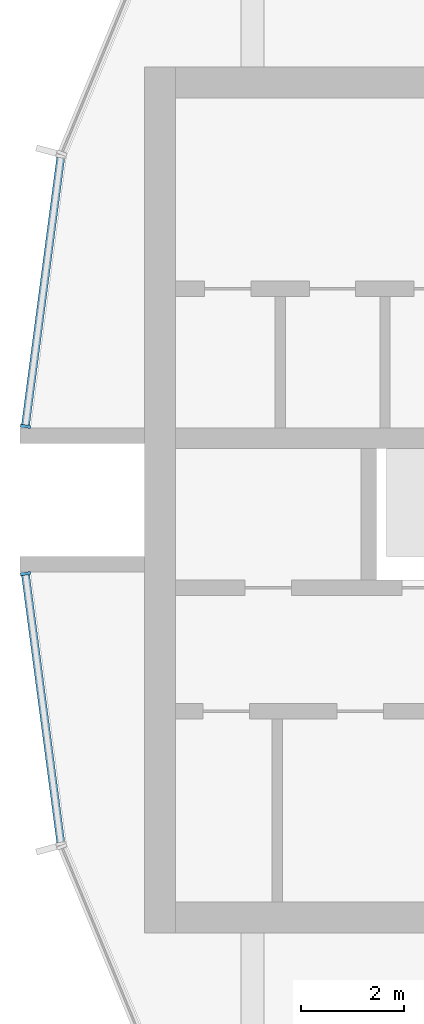
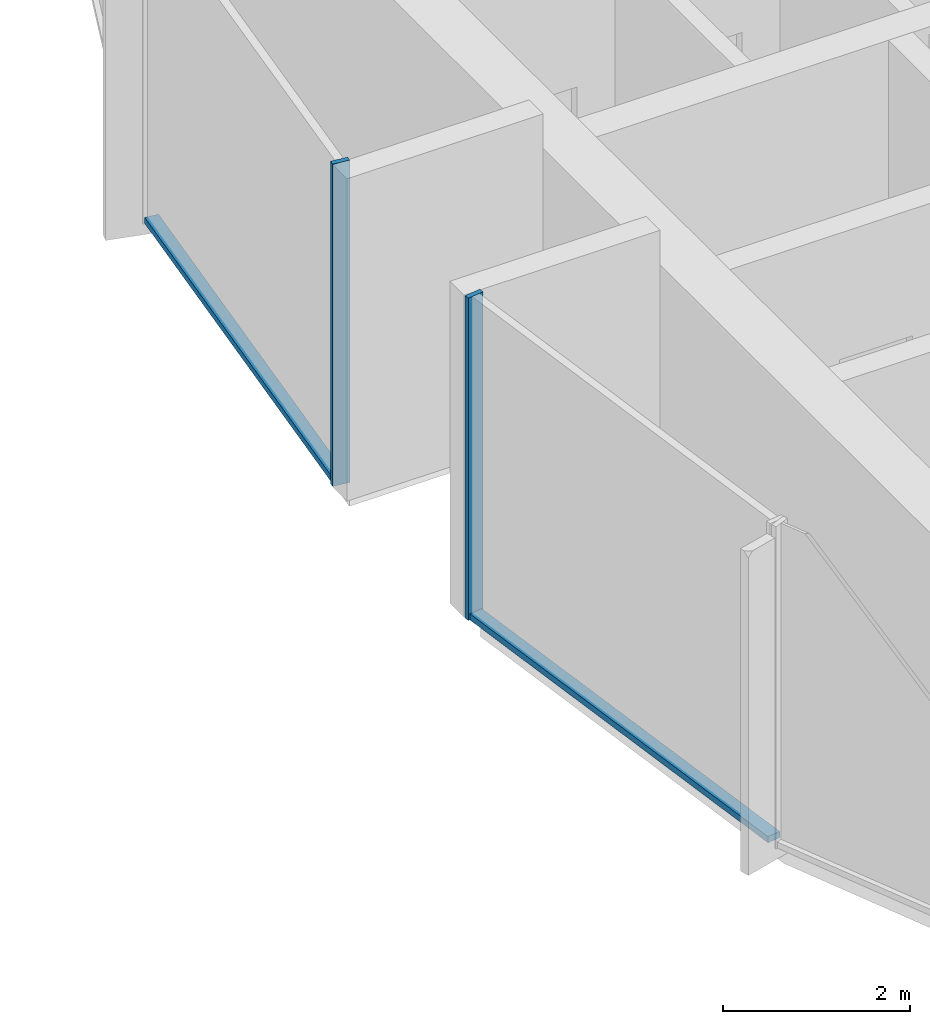
# One storey, part 3 of 15: 4 members, 2 elements without a shape of their own.
"""IFC4 building model written with IfcOpenShell, lengths in metres."""

from ifc_helpers import new_model, si_unit, direction, frame, origin, origin_2d, place, context, subcontext, project, spatial, rectangle, extrude, material, layer, layer_set, material_profile, profile_set, type_object, element, aggregate, save


model = new_model("IFC4")

# Units and contexts
model_context = context("Model", 3, precision=1e-05, world=origin(), true_north=direction((0.0, 1.0)))
body_context = subcontext(model_context, "Body", "Model", "MODEL_VIEW")
ifc_project = project(units=[si_unit("LENGTHUNIT", "METRE"), si_unit("AREAUNIT", "SQUARE_METRE"), si_unit("VOLUMEUNIT", "CUBIC_METRE"), si_unit("PLANEANGLEUNIT", "RADIAN"), si_unit("MASSUNIT", "GRAM", prefix="KILO")], contexts=[model_context])

# Site, building, storey
site_placement = place(None, origin())
site = spatial("IfcSite", under=ifc_project, at=site_placement, CompositionType="ELEMENT")
building_placement = place(site_placement, origin())
building = spatial("IfcBuilding", under=site, at=building_placement, Name="Torre Brocal", CompositionType="ELEMENT")
storey_placement = place(building_placement, frame((0.0, 0.0, 266.699951171875)))
storey = spatial("IfcBuildingStorey", under=building, at=storey_placement, Name="L61", CompositionType="ELEMENT", Elevation=266.699951171875)

# Curtain wall, member
ifc_material_1 = material(Name="Aluminium and glass", Category="aluminium")
ifc_layer = layer(ifc_material_1, 0.199951171875)
ifc_layer_set = layer_set([ifc_layer], Name="Aluminium and glass")
curtain_wall_type = type_object("IfcCurtainWallType", Name="CW-1B CURTAIN WALL 4200 HIGH", PredefinedType="NOTDEFINED", material=ifc_layer_set)
curtain_wall_1_placement = place(storey_placement, origin())
curtain_wall_1 = element("IfcCurtainWall", 1, at=curtain_wall_1_placement, inside=storey, type_object=curtain_wall_type, Name="CW-1B RUN 12", PredefinedType="NOTDEFINED")
ifc_material_2 = material(Name="Aluminium, dark anodised", Category="aluminium")
ifc_material_profile_1 = material_profile(ifc_material_2, rectangle(XDim=0.199951171875, YDim=0.06005859375, at=origin_2d()), Name="CW-1B MULLION 60X200")
ifc_profile_set_1 = profile_set([ifc_material_profile_1], Name="Aluminium, dark anodised")
member_type_1 = type_object("IfcMemberType", Name="CW-1B MULLION 60X200", PredefinedType="MULLION", material=ifc_profile_set_1)
member_1_placement = place(storey_placement, frame((54.2890625, 76.4296875, 0.0), z_axis=(0.0, 0.0, 1.0), x_axis=(0.991444861374, -0.13052619222, 0.0)))
member_1 = element("IfcMember", 2, at=member_1_placement, type_object=member_type_1, Name="CW1B-5 mullion 2", PredefinedType="MULLION", context=body_context, shape_type="SweptSolid", body=[
    extrude(rectangle(XDim=0.199951171875, YDim=0.06005859375, at=origin_2d()), origin(), (0.0, 0.0, 1.0), 4.199951171875),
])

curtain_wall_2_placement = place(storey_placement, origin())
curtain_wall_2 = element("IfcCurtainWall", 3, at=curtain_wall_2_placement, inside=storey, type_object=curtain_wall_type, Name="CW-1B RUN 13", PredefinedType="NOTDEFINED")
member_2_placement = place(storey_placement, frame((54.2890625, 73.5703125, 0.0), z_axis=(0.0, 0.0, 1.0), x_axis=(0.991444861374, 0.13052619222, 0.0)))
member_2 = element("IfcMember", 4, at=member_2_placement, type_object=member_type_1, Name="CW1B-5 mullion 1", PredefinedType="MULLION", context=body_context, shape_type="SweptSolid", body=[
    extrude(rectangle(XDim=0.199951171875, YDim=0.06005859375, at=origin_2d()), origin(), (0.0, 0.0, 1.0), 4.199951171875),
])

# Member
ifc_material_3 = material(Name="Aluminium, dark anodised", Category="aluminium")
ifc_material_profile_2 = material_profile(ifc_material_3, rectangle(XDim=0.159912109375, YDim=0.080078125, at=origin_2d()), Name="CW-1B TRANSOM 160X80")
ifc_profile_set_2 = profile_set([ifc_material_profile_2], Name="Aluminium, dark anodised")
member_type_2 = type_object("IfcMemberType", Name="CW-1B TRANSOM 160X80", PredefinedType="USERDEFINED", material=ifc_profile_set_2)
member_3_placement = place(storey_placement, frame((54.9755859375, 81.643798828125, 0.0400390625), z_axis=(-0.130542677827, -0.991442690863, 0.0), x_axis=(0.991442690863, -0.130542677827, 0.0)))
member_3 = element("IfcMember", 5, at=member_3_placement, type_object=member_type_2, Name="CW1B-5 transom 1.1", ObjectType="TRANSOM", PredefinedType="USERDEFINED", context=body_context, shape_type="SweptSolid", body=[
    extrude(rectangle(XDim=0.159912109375, YDim=0.080078125, at=origin_2d()), origin(), (0.0, 0.0, 1.0), 5.22900390625),
])

aggregate(curtain_wall_1, [member_1, member_3])

member_4_placement = place(storey_placement, frame((54.29296875, 73.54052734375, 0.0400390625), z_axis=(0.130542677827, -0.991442690863, 0.0), x_axis=(0.991442690863, 0.130542677827, 0.0)))
member_4 = element("IfcMember", 6, at=member_4_placement, type_object=member_type_2, Name="CW1B-5 transom 1.1", ObjectType="TRANSOM", PredefinedType="USERDEFINED", context=body_context, shape_type="SweptSolid", body=[
    extrude(rectangle(XDim=0.159912109375, YDim=0.080078125, at=origin_2d()), origin(), (0.0, 0.0, 1.0), 5.22900390625),
])

aggregate(curtain_wall_2, [member_2, member_4])

save(model, "model.ifc")
